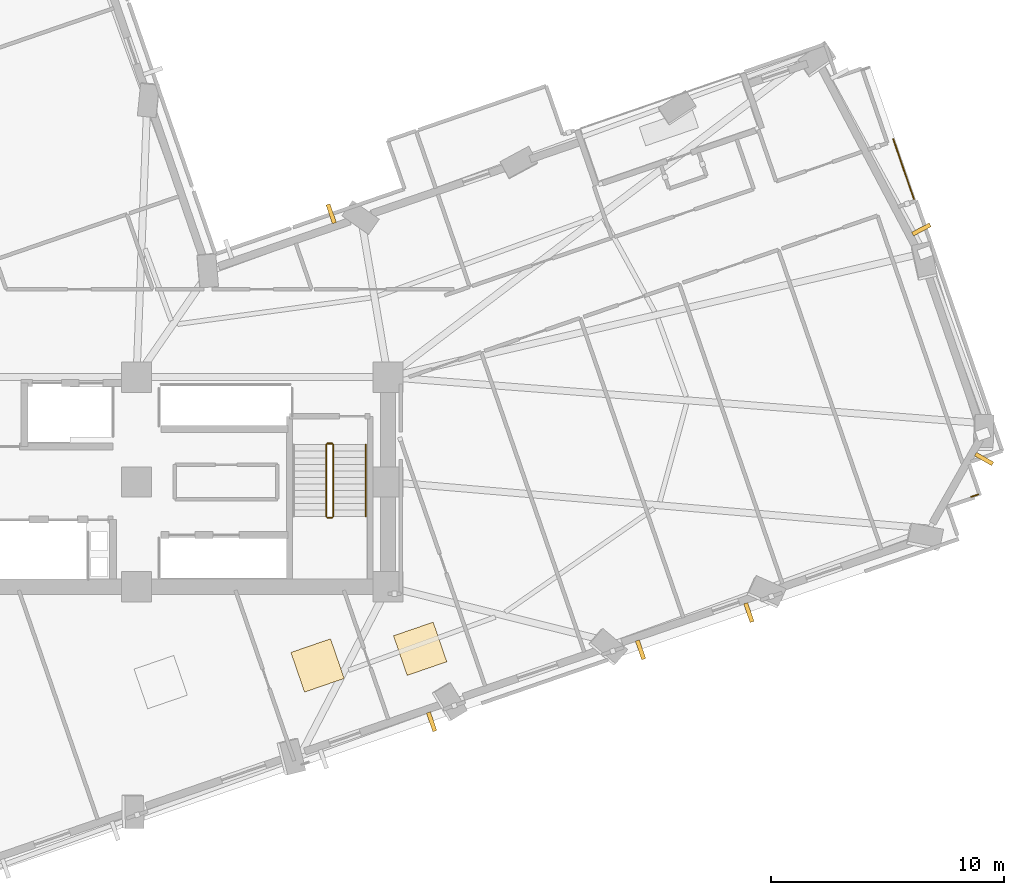
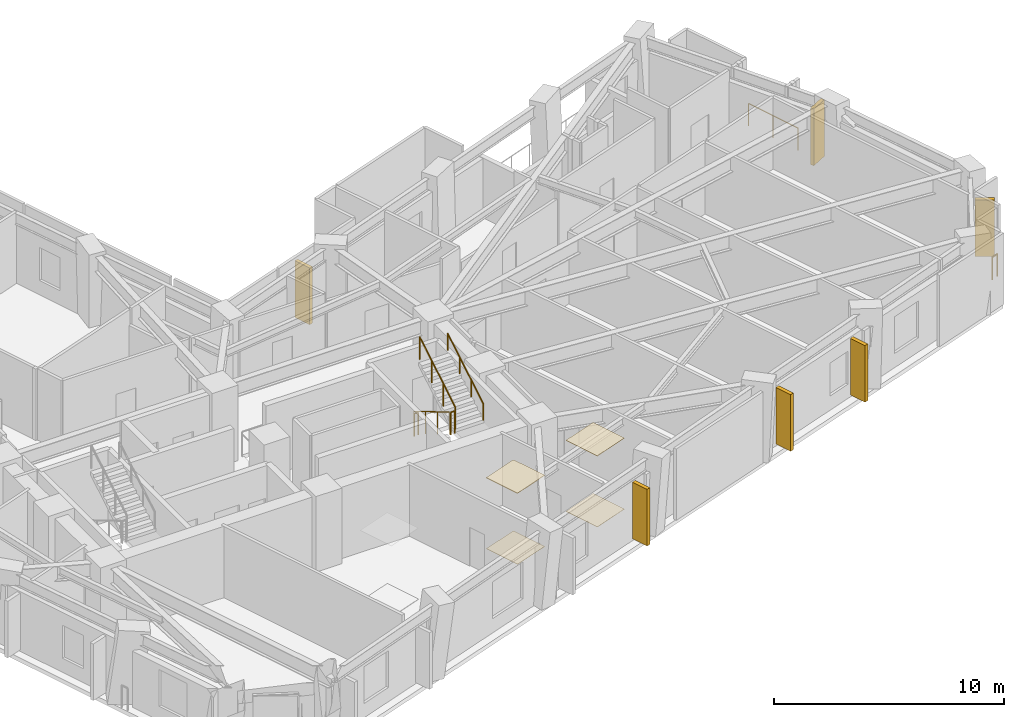
# One storey, part 13 of 15: 7 railings, 6 shading devices, 4 coverings.
"""IFC4 building model written with IfcOpenShell, lengths in metres."""

from ifc_helpers import new_model, si_unit, direction, frame, origin, origin_2d, place, context, subcontext, project, spatial, rectangle, circle, extrude, material, layer, layer_set, type_object, element, save


model = new_model("IFC4")

# Units and contexts
model_context = context("Model", 3, precision=1e-05, world=origin(), true_north=direction((0.0, 1.0)))
body_context = subcontext(model_context, "Body", "Model", "MODEL_VIEW")
ifc_project = project(units=[si_unit("LENGTHUNIT", "METRE"), si_unit("AREAUNIT", "SQUARE_METRE"), si_unit("VOLUMEUNIT", "CUBIC_METRE"), si_unit("PLANEANGLEUNIT", "RADIAN"), si_unit("MASSUNIT", "GRAM", prefix="KILO")], contexts=[model_context])

# Site, building, storey
site_placement = place(None, origin())
site = spatial("IfcSite", under=ifc_project, at=site_placement, CompositionType="ELEMENT")
building_placement = place(site_placement, origin())
building = spatial("IfcBuilding", under=site, at=building_placement, Name="Gaonmaruhae Medical Tower", CompositionType="ELEMENT")
storey_placement = place(building_placement, frame((0.0, 0.0, 104.39990234375)))
storey = spatial("IfcBuildingStorey", under=building, at=storey_placement, Name="L24", CompositionType="ELEMENT", Elevation=104.39990234375)

# Coverings
ifc_material_1 = material(Name="Acoustic mineral ceiling tile", Category="finish")
ifc_layer_1 = layer(ifc_material_1, 0.02490234375)
ifc_layer_set_1 = layer_set([ifc_layer_1], Name="Acoustic mineral ceiling tile")
covering_type_1 = type_object("IfcCoveringType", Name="CLG-01 Antimicrobial Acoustic Mineral Ceiling", PredefinedType="CEILING", material=ifc_layer_set_1)
for number, where, z_axis, x_axis, name in (
    (1, (32.573974609375, 4.42041015625, 3.755126953125), (0.0, 0.0, 1.0), (0.945518575599, 0.325568154457, 0.0), "L24 Clinical Room Acoustic Ceiling 3"),
    (2, (36.98095703125, 5.13671875, 3.755126953125), (0.0, 0.0, 1.0), (0.945518575599, 0.325568154457, 0.0), "L24 Clinical Room Acoustic Ceiling 4"),
):
    element("IfcCovering", number, at=place(storey_placement, frame(where, z_axis=z_axis, x_axis=x_axis)), inside=storey, type_object=covering_type_1, Name=name, PredefinedType="CEILING", context=body_context, shape_type="SweptSolid", body=[
        extrude(rectangle(XDim=1.800048828125, YDim=1.800048828125, at=origin_2d()), origin(), (0.0, 0.0, 1.0), 0.02490234375),
    ])
ifc_material_2 = material(Name="Seamless clinical vinyl flooring", Category="finish")
ifc_layer_2 = layer(ifc_material_2, 0.014892578125)
ifc_layer_set_2 = layer_set([ifc_layer_2], Name="Seamless clinical vinyl flooring")
covering_type_2 = type_object("IfcCoveringType", Name="FLR-01 Seamless Clinical Antistatic Vinyl Flooring", PredefinedType="FLOORING", material=ifc_layer_set_2)
for number, where, z_axis, x_axis, name in (
    (3, (32.573974609375, 4.42041015625, 0.0), (0.0, 0.0, 1.0), (0.945518575599, 0.325568154457, 0.0), "L24 Clinical Room Vinyl Flooring 3"),
    (4, (36.98095703125, 5.13671875, 0.0), (0.0, 0.0, 1.0), (0.945518575599, 0.325568154457, 0.0), "L24 Clinical Room Vinyl Flooring 4"),
):
    element("IfcCovering", number, at=place(storey_placement, frame(where, z_axis=z_axis, x_axis=x_axis)), inside=storey, type_object=covering_type_2, Name=name, PredefinedType="FLOORING", context=body_context, shape_type="SweptSolid", body=[
        extrude(rectangle(XDim=1.800048828125, YDim=1.800048828125, at=origin_2d()), origin(), (0.0, 0.0, 1.0), 0.014892578125),
    ])

# Railings
ifc_material_3 = material(Name="Stainless steel 316L and laminated safety glass", Category="steel")
ifc_layer_3 = layer(ifc_material_3, 0.080078125)
ifc_layer_set_3 = layer_set([ifc_layer_3], Name="Stainless steel 316L and laminated safety glass")
railing_type_1 = type_object("IfcRailingType", Name="GD-120 Outdoor Terrace Safety Glass & Steel Balustrade", PredefinedType="BALUSTRADE", material=ifc_layer_set_3)
railing_1_placement = place(storey_placement, frame((57.297119140625, 27.023193359375, 0.0)))
element("IfcRailing", 5, at=railing_1_placement, inside=storey, type_object=railing_type_1, Name="L24 Perimeter Slab Edge Safety Balustrade 02", PredefinedType="BALUSTRADE", context=body_context, shape_type="SweptSolid", body=[
    extrude(circle(Radius=0.02392578125, at=origin_2d()), frame((0.0, 0.0, 1.17578125), z_axis=(0.325553278918, -0.945523697527, 0.0), x_axis=(0.945523697527, 0.325553278918, 0.0)), (0.0, 0.0, 1.0), 2.83837890625),
    extrude(circle(Radius=0.02099609375, at=origin_2d()), origin(), (0.0, 0.0, 1.0), 1.15185546875),
    extrude(circle(Radius=0.02099609375, at=origin_2d()), frame((0.4619140625, -1.341796875, 0.0)), (0.0, 0.0, 1.0), 1.15185546875),
    extrude(circle(Radius=0.02099609375, at=origin_2d()), frame((0.924072265625, -2.683837890625, 0.0)), (0.0, 0.0, 1.0), 1.15185546875),
])
railing_2_placement = place(storey_placement, frame((60.94775390625, 11.76318359375, 0.0)))
element("IfcRailing", 6, at=railing_2_placement, inside=storey, type_object=railing_type_1, Name="L24 Perimeter Slab Edge Safety Balustrade 03", PredefinedType="BALUSTRADE", context=body_context, shape_type="SweptSolid", body=[
    extrude(circle(Radius=0.02392578125, at=origin_2d()), frame((0.0, 0.0, 1.17578125), z_axis=(-0.945650685023, -0.325184227656, 0.0), x_axis=(0.325184227656, -0.945650685023, 0.0)), (0.0, 0.0, 1.0), 0.32666015625),
    extrude(circle(Radius=0.02099609375, at=origin_2d()), origin(), (0.0, 0.0, 1.0), 1.15185546875),
    extrude(circle(Radius=0.02099609375, at=origin_2d()), frame((-0.308837890625, -0.106201171875, 0.0)), (0.0, 0.0, 1.0), 1.15185546875),
])
ifc_material_4 = material(Name="Stainless steel 304 handrail", Category="steel")
railing_type_2 = type_object("IfcRailingType", Name="HR-092 Continuous Stainless Steel Stair Handrail", PredefinedType="HANDRAIL", material=ifc_material_4)
railing_3_placement = place(storey_placement, frame((34.64990234375, 10.820068359375, 2.166748046875)))
element("IfcRailing", 7, at=railing_3_placement, inside=storey, type_object=railing_type_2, Name="L24 ST-02 stair handrail 2", PredefinedType="HANDRAIL", context=body_context, shape_type="SweptSolid", body=[
    extrude(circle(Radius=0.02392578125, at=origin_2d()), frame((0.0, 0.0, 0.8759765625), z_axis=(0.0, 0.859290745958, 0.51148745235), x_axis=(-1.0, 0.0, 0.0)), (0.0, 0.0, 1.0), 3.584228515625),
    extrude(circle(Radius=0.02099609375, at=origin_2d()), origin(), (0.0, 0.0, 1.0), 0.851806640625),
    extrude(circle(Radius=0.02099609375, at=origin_2d()), frame((0.0, 1.026611328125, 0.611083984375)), (0.0, 0.0, 1.0), 0.851806640625),
    extrude(circle(Radius=0.02099609375, at=origin_2d()), frame((0.0, 2.05322265625, 1.22216796875)), (0.0, 0.0, 1.0), 0.851806640625),
    extrude(circle(Radius=0.02099609375, at=origin_2d()), frame((0.0, 3.079833984375, 1.833251953125)), (0.0, 0.0, 1.0), 0.851806640625),
])

# Shading devices
ifc_material_5 = material(Name="Pigmented coral precast concrete C45/55", Category="concrete")
shading_device_type = type_object("IfcShadingDeviceType", Name="SD-FIN1 Tower Vertical Coral Precast Shading Fin", PredefinedType="USERDEFINED", material=ifc_material_5)
for number, where, z_axis, x_axis, name in (
    (8, (37.4716796875, 2.00341796875, 0.08251953125), (0.0, 0.0, 1.0), (-0.945524257692, -0.325551651995, 0.0), "L24 Vertical Coral Precast Shading Fin S03"),
    (9, (51.094970703125, 6.6943359375, 0.08251953125), (0.0, 0.0, 1.0), (-0.945512893219, -0.32558465682, 0.0), "L24 Vertical Coral Precast Shading Fin S05"),
    (10, (46.444580078125, 5.093017578125, 0.08251953125), (0.0, 0.0, 1.0), (-0.945512893219, -0.32558465682, 0.0), "L24 Vertical Coral Precast Shading Fin S05B"),
    (11, (61.19873046875, 13.286376953125, 0.08251953125), (0.0, 0.0, 1.0), (-0.493198084126, -0.869917036168, 0.0), "L24 Vertical Coral Precast Shading Fin S07"),
    (12, (58.505126953125, 23.143798828125, 0.08251953125), (0.0, 0.0, 1.0), (0.466232244732, -0.884662361566, 0.0), "L24 Vertical Coral Precast Shading Fin E02B"),
    (13, (33.16064453125, 23.818603515625, 0.08251953125), (0.0, 0.0, 1.0), (0.945518575599, 0.325568154457, 0.0), "L24 Vertical Coral Precast Shading Fin EN03B"),
):
    element("IfcShadingDevice", number, at=place(storey_placement, frame(where, z_axis=z_axis, x_axis=x_axis)), inside=storey, type_object=shading_device_type, Name=name, ObjectType="FIN", PredefinedType="USERDEFINED", context=body_context, shape_type="SweptSolid", body=[
        extrude(rectangle(XDim=0.179931640625, YDim=0.85009765625, at=origin_2d()), origin(), (0.0, 0.0, 1.0), 3.0),
    ])

# Railings
ifc_material_6 = material(Name="Stainless steel 304 balustrade", Category="steel")
railing_type_3 = type_object("IfcRailingType", Name="SG-112 Stair Well & Ramp Void Safety Balustrade", PredefinedType="BALUSTRADE", material=ifc_material_6)
railing_4_placement = place(storey_placement, frame((32.949951171875, 13.89990234375, 0.166748046875)))
element("IfcRailing", 14, at=railing_4_placement, inside=storey, type_object=railing_type_3, Name="L24 ST-02 stair guard 1", PredefinedType="BALUSTRADE", context=body_context, shape_type="SweptSolid", body=[
    extrude(circle(Radius=0.02392578125, at=origin_2d()), frame((0.0, 0.0, 1.17578125), z_axis=(0.0, -0.859290745958, 0.51148745235), x_axis=(1.0, 0.0, 0.0)), (0.0, 0.0, 1.0), 3.584228515625),
    extrude(circle(Radius=0.02099609375, at=origin_2d()), origin(), (0.0, 0.0, 1.0), 1.15185546875),
    extrude(circle(Radius=0.02099609375, at=origin_2d()), frame((0.0, -1.026611328125, 0.611083984375)), (0.0, 0.0, 1.0), 1.15185546875),
    extrude(circle(Radius=0.02099609375, at=origin_2d()), frame((0.0, -2.05322265625, 1.22216796875)), (0.0, 0.0, 1.0), 1.15185546875),
    extrude(circle(Radius=0.02099609375, at=origin_2d()), frame((0.0, -3.079833984375, 1.833251953125)), (0.0, 0.0, 1.0), 1.15185546875),
])
railing_5_placement = place(storey_placement, frame((33.0, 10.77001953125, 2.0)))
element("IfcRailing", 15, at=railing_5_placement, inside=storey, type_object=railing_type_3, Name="L24 ST-02 stair guard 2", PredefinedType="BALUSTRADE", context=body_context, shape_type="SweptSolid", body=[
    extrude(circle(Radius=0.02392578125, at=origin_2d()), frame((0.0, 0.0, 1.17578125), z_axis=(1.0, 0.0, 0.0), x_axis=(0.0, 1.0, 0.0)), (0.0, 0.0, 1.0), 0.199951171875),
    extrude(circle(Radius=0.02099609375, at=origin_2d()), origin(), (0.0, 0.0, 1.0), 1.15185546875),
    extrude(circle(Radius=0.02099609375, at=origin_2d()), frame((0.199951171875, 0.0, 0.0)), (0.0, 0.0, 1.0), 1.15185546875),
])
railing_6_placement = place(storey_placement, frame((33.25, 10.820068359375, 2.166748046875)))
element("IfcRailing", 16, at=railing_6_placement, inside=storey, type_object=railing_type_3, Name="L24 ST-02 stair guard 3", PredefinedType="BALUSTRADE", context=body_context, shape_type="SweptSolid", body=[
    extrude(circle(Radius=0.02392578125, at=origin_2d()), frame((0.0, 0.0, 1.17578125), z_axis=(0.0, 0.859290745958, 0.51148745235), x_axis=(-1.0, 0.0, 0.0)), (0.0, 0.0, 1.0), 3.584228515625),
    extrude(circle(Radius=0.02099609375, at=origin_2d()), origin(), (0.0, 0.0, 1.0), 1.15185546875),
    extrude(circle(Radius=0.02099609375, at=origin_2d()), frame((0.0, 1.026611328125, 0.611083984375)), (0.0, 0.0, 1.0), 1.15185546875),
    extrude(circle(Radius=0.02099609375, at=origin_2d()), frame((0.0, 2.05322265625, 1.22216796875)), (0.0, 0.0, 1.0), 1.15185546875),
    extrude(circle(Radius=0.02099609375, at=origin_2d()), frame((0.0, 3.079833984375, 1.833251953125)), (0.0, 0.0, 1.0), 1.15185546875),
])
railing_7_placement = place(storey_placement, frame((33.0, 13.949951171875, 0.0)))
element("IfcRailing", 17, at=railing_7_placement, inside=storey, type_object=railing_type_3, Name="L24 ST-02 stair guard 4", PredefinedType="BALUSTRADE", context=body_context, shape_type="SweptSolid", body=[
    extrude(circle(Radius=0.02392578125, at=origin_2d()), frame((0.0, 0.0, 1.17578125), z_axis=(1.0, 0.0, 0.0), x_axis=(0.0, 1.0, 0.0)), (0.0, 0.0, 1.0), 0.199951171875),
    extrude(circle(Radius=0.02099609375, at=origin_2d()), origin(), (0.0, 0.0, 1.0), 1.15185546875),
    extrude(circle(Radius=0.02099609375, at=origin_2d()), frame((0.199951171875, 0.0, 0.0)), (0.0, 0.0, 1.0), 1.15185546875),
])

save(model, "model.ifc")
